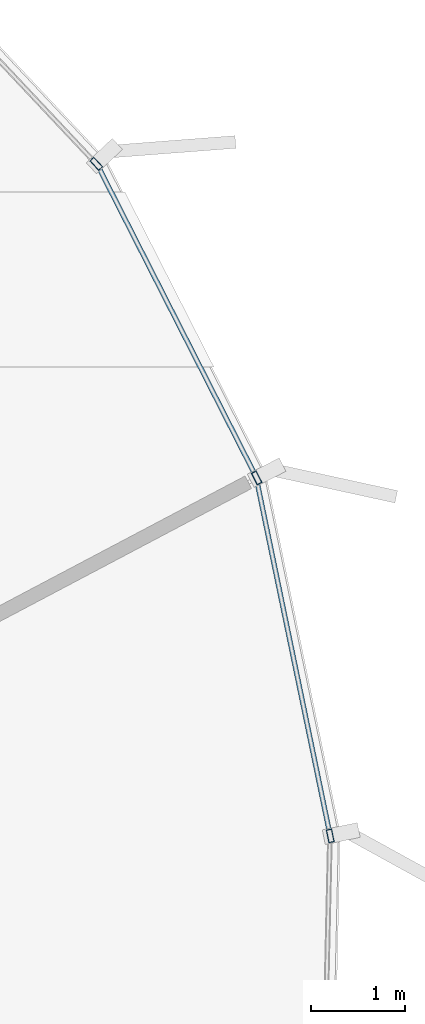
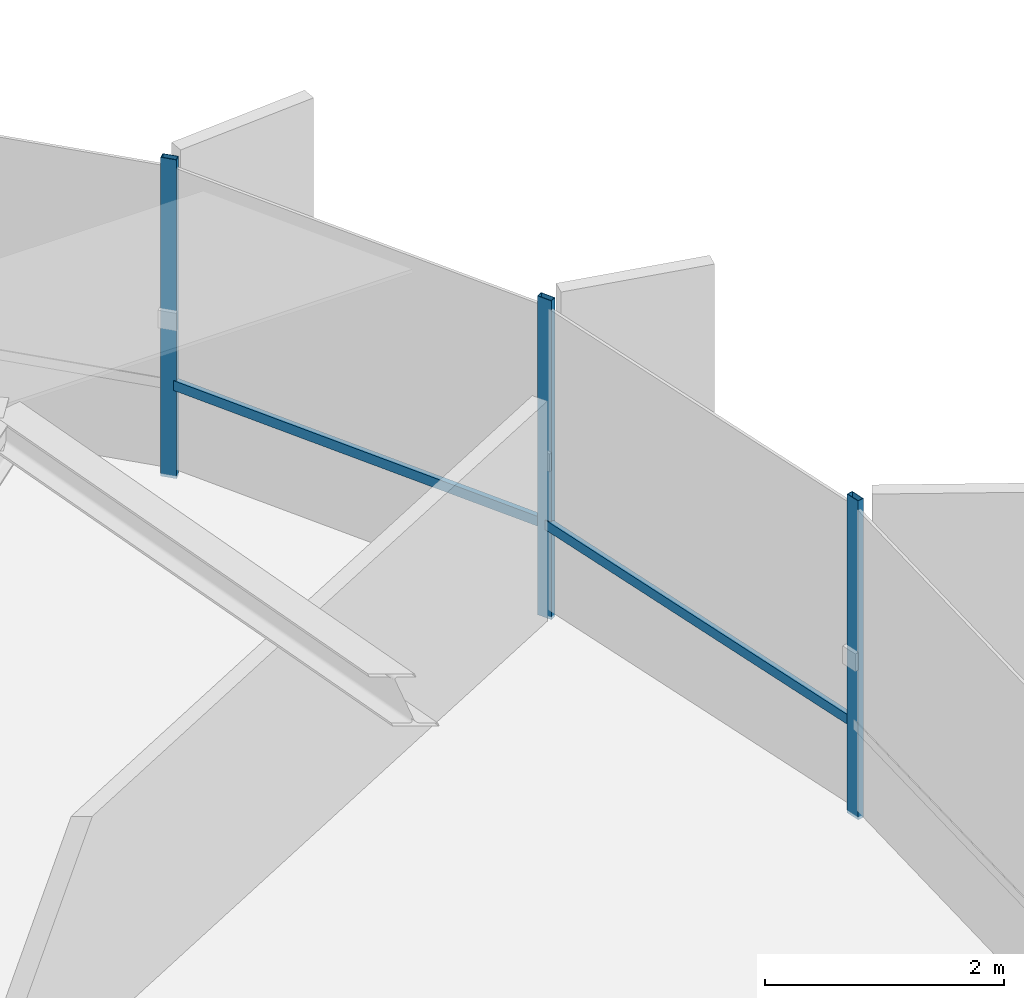
# One storey, part 28 of 36: 5 members, 2 elements without a shape of their own.
"""IFC4 building model written with IfcOpenShell, lengths in metres."""

from ifc_helpers import new_model, si_unit, direction, frame, origin, origin_2d, place, context, subcontext, project, spatial, hollow_rectangle, extrude, source, transform, mapped, material, layer, layer_set, material_profile, profile_set, type_object, element, aggregate, save


model = new_model("IFC4")

# Units and contexts
model_context = context("Model", 3, precision=1e-05, world=origin(), true_north=direction((0.0, 1.0)))
body_context = subcontext(model_context, "Body", "Model", "MODEL_VIEW")
ifc_project = project(units=[si_unit("LENGTHUNIT", "METRE"), si_unit("AREAUNIT", "SQUARE_METRE"), si_unit("VOLUMEUNIT", "CUBIC_METRE"), si_unit("PLANEANGLEUNIT", "RADIAN"), si_unit("MASSUNIT", "GRAM", prefix="KILO"), si_unit("THERMODYNAMICTEMPERATUREUNIT", "KELVIN")], contexts=[model_context])

# Site, building, storey
site_placement = place(None, origin())
site = spatial("IfcSite", under=ifc_project, at=site_placement, CompositionType="ELEMENT")
building_placement = place(site_placement, origin())
building = spatial("IfcBuilding", under=site, at=building_placement, Name="Kethvar Cultural Tower", CompositionType="ELEMENT")
storey_placement = place(building_placement, frame((0.0, 0.0, 176.39990234375)))
storey = spatial("IfcBuildingStorey", under=building, at=storey_placement, Name="L45", CompositionType="ELEMENT", Elevation=176.39990234375)

# Curtain wall, member
ifc_material = material(Name="Aluminium 6063-T6", Category="aluminium")
ifc_layer = layer(ifc_material, 0.179931640625, Name="Aluminium 6063-T6", Category="aluminium")
ifc_layer_set = layer_set([ifc_layer], Name="Aluminium 6063-T6 (180 mm)")
curtain_wall_type = type_object("IfcCurtainWallType", Name="CW-SYS-04-Z34", PredefinedType="NOTDEFINED", material=ifc_layer_set)
curtain_wall_1_placement = place(storey_placement, origin())
curtain_wall_1 = element("IfcCurtainWall", 1, at=curtain_wall_1_placement, inside=storey, type_object=curtain_wall_type, Name="L45 Curtain Wall Run 01", PredefinedType="NOTDEFINED")
ifc_material_profile_1 = material_profile(ifc_material, hollow_rectangle(XDim=0.06005859375, YDim=0.139892578125, WallThickness=0.0048828125, at=origin_2d()), Name="Aluminium 6063-T6 — RHS140x60x5")
ifc_profile_set_1 = profile_set([ifc_material_profile_1], Name="Aluminium 6063-T6 — RHS140x60x5")
member_type_1 = type_object("IfcMemberType", Name="CW-SYS-04-Z34-MUL", PredefinedType="MULLION", material=ifc_profile_set_1)
shared_shape_1 = source(origin(), body_context, "Body", "SweptSolid", [
    extrude(hollow_rectangle(XDim=0.06005859375, YDim=0.139892578125, WallThickness=0.0048828125, at=origin_2d()), origin(), (0.0, 0.0, 1.0), 3.260009765625),
])
member_1_placement = place(storey_placement, frame((70.98876953125, 44.828125, 0.0), z_axis=(0.0, 0.0, 1.0), x_axis=(-0.728442718083, -0.68510671174, 0.0)))
member_1 = element("IfcMember", 2, at=member_1_placement, type_object=member_type_1, Name="CW-L45-R01 Mullion 1", PredefinedType="MULLION", context=body_context, shape_type="MappedRepresentation", body=[
    mapped(shared_shape_1, transform((0.0, 0.0, 0.0), scale=1.0)),
])
aggregate(curtain_wall_1, [member_1])

# Curtain wall, members
curtain_wall_2_placement = place(storey_placement, origin())
curtain_wall_2 = element("IfcCurtainWall", 3, at=curtain_wall_2_placement, inside=storey, type_object=curtain_wall_type, Name="L45 Curtain Wall Run 06", PredefinedType="NOTDEFINED")
member_2_placement = place(storey_placement, frame((73.4833984375, 37.663818359375, 0.0), z_axis=(0.0, 0.0, 1.0), x_axis=(-0.979314731753, -0.202342917277, 0.0)))
member_2 = element("IfcMember", 4, at=member_2_placement, type_object=member_type_1, Name="CW-L45-R06 Mullion 5", PredefinedType="MULLION", context=body_context, shape_type="MappedRepresentation", body=[
    mapped(shared_shape_1, transform((0.0, 0.0, 0.0), scale=1.0)),
])
member_3_placement = place(storey_placement, frame((72.69873046875, 41.48046875, 0.0), z_axis=(0.0, 0.0, 1.0), x_axis=(-0.891354901099, -0.453306122049, 0.0)))
member_3 = element("IfcMember", 5, at=member_3_placement, type_object=member_type_1, Name="CW-L45-R06 Mullion 6", PredefinedType="MULLION", context=body_context, shape_type="MappedRepresentation", body=[
    mapped(shared_shape_1, transform((0.0, 0.0, 0.0), scale=1.0)),
])
ifc_material_profile_2 = material_profile(ifc_material, hollow_rectangle(XDim=0.050048828125, YDim=0.10009765625, WallThickness=0.00390625, at=origin_2d()), Name="Aluminium 6063-T6 — RHS100x50x4")
ifc_profile_set_2 = profile_set([ifc_material_profile_2], Name="Aluminium 6063-T6 — RHS100x50x4")
member_type_2 = type_object("IfcMemberType", Name="CW-SYS-04-Z34-TRN", PredefinedType="USERDEFINED", material=ifc_profile_set_2)
shared_shape_2 = source(origin(), body_context, "Body", "SweptSolid", [
    extrude(hollow_rectangle(XDim=0.050048828125, YDim=0.10009765625, WallThickness=0.00390625, at=origin_2d()), origin(), (0.0, 0.0, 1.0), 3.839111328125),
])
member_4_placement = place(storey_placement, frame((73.474609375, 37.7060546875, 0.9501953125), z_axis=(-0.202349054632, 0.979313463652, 0.0), x_axis=(-0.979313463652, -0.202349054632, 0.0)))
member_4 = element("IfcMember", 6, at=member_4_placement, type_object=member_type_2, Name="CW-L45-R06 Transom 5", ObjectType="TRANSOM", PredefinedType="USERDEFINED", context=body_context, shape_type="MappedRepresentation", body=[
    mapped(shared_shape_2, transform((0.0, 0.0, 0.0), scale=1.0)),
])
shared_shape_3 = source(origin(), body_context, "Body", "SweptSolid", [
    extrude(hollow_rectangle(XDim=0.050048828125, YDim=0.10009765625, WallThickness=0.00390625, at=origin_2d()), origin(), (0.0, 0.0, 1.0), 3.66650390625),
])
member_5_placement = place(storey_placement, frame((72.67919921875, 41.518798828125, 0.9501953125), z_axis=(-0.453329175719, 0.891343176583, 0.0), x_axis=(-0.891343176583, -0.453329175719, 0.0)))
member_5 = element("IfcMember", 7, at=member_5_placement, type_object=member_type_2, Name="CW-L45-R06 Transom 6", ObjectType="TRANSOM", PredefinedType="USERDEFINED", context=body_context, shape_type="MappedRepresentation", body=[
    mapped(shared_shape_3, transform((0.0, 0.0, 0.0), scale=1.0)),
])
aggregate(curtain_wall_2, [member_2, member_3, member_4, member_5])

save(model, "model.ifc")
